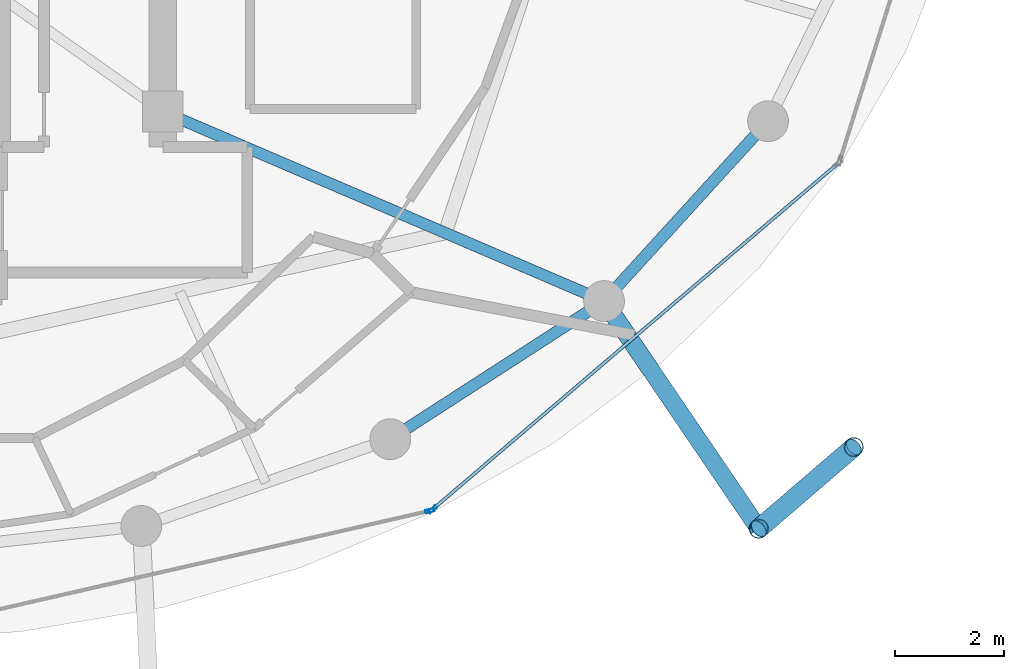
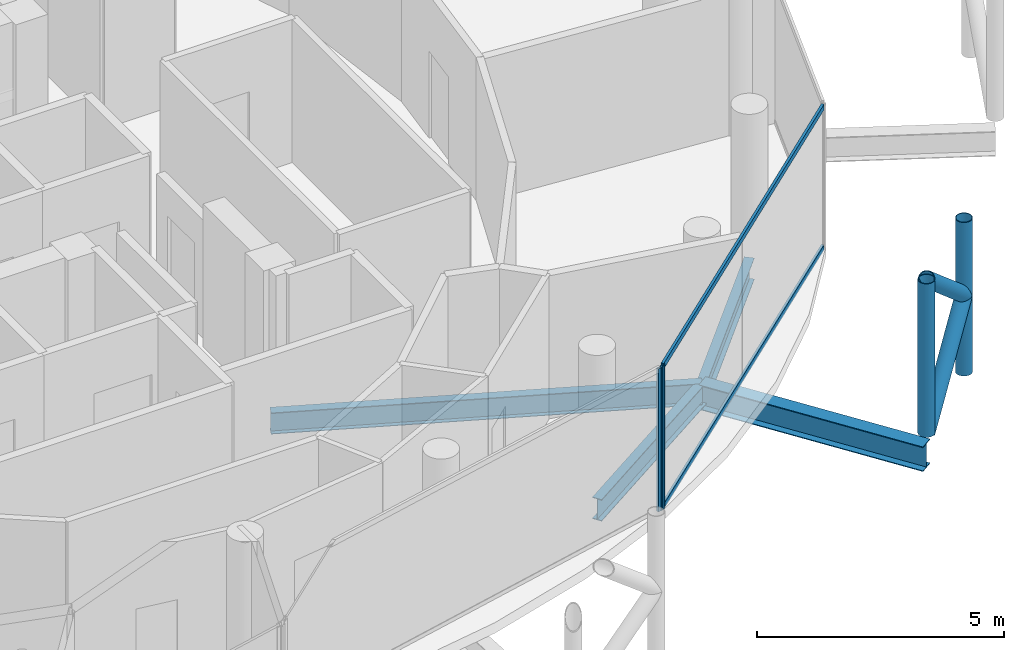
# One storey, part 9 of 24: 8 members, 4 beams, 2 elements without a shape of their own.
"""IFC4 building model written with IfcOpenShell, lengths in metres."""

from ifc_helpers import new_model, si_unit, direction, frame, origin, origin_2d, place, context, subcontext, project, spatial, hollow_rectangle, hollow_circle, i_section, extrude, material, layer, layer_set, material_profile, profile_set, type_object, element, aggregate, save


model = new_model("IFC4")

# Units and contexts
model_context = context("Model", 3, precision=1e-05, world=origin(), true_north=direction((0.0, 1.0)))
body_context = subcontext(model_context, "Body", "Model", "MODEL_VIEW")
ifc_project = project(units=[si_unit("LENGTHUNIT", "METRE"), si_unit("AREAUNIT", "SQUARE_METRE"), si_unit("VOLUMEUNIT", "CUBIC_METRE"), si_unit("PLANEANGLEUNIT", "RADIAN"), si_unit("MASSUNIT", "GRAM", prefix="KILO")], contexts=[model_context])

# Site, building, storey
site_placement = place(None, origin())
site = spatial("IfcSite", under=ifc_project, at=site_placement, CompositionType="ELEMENT")
building_placement = place(site_placement, origin())
building = spatial("IfcBuilding", under=site, at=building_placement, Name="Nuhasar Tower", CompositionType="ELEMENT")
storey_placement = place(building_placement, frame((0.0, 0.0, 286.0)))
storey = spatial("IfcBuildingStorey", under=building, at=storey_placement, Name="L71", CompositionType="ELEMENT", Elevation=286.0)

# Beams
ifc_material_1 = material(Name="Steel S355", Category="steel")
ifc_material_profile_1 = material_profile(ifc_material_1, i_section(OverallWidth=0.208984375, OverallDepth=0.528076171875, WebThickness=0.009521484375, FlangeThickness=0.01318359375, at=origin_2d()), Name="W21X55")
ifc_profile_set_1 = profile_set([ifc_material_profile_1], Name="Steel S355")
beam_type_1 = type_object("IfcBeamType", Name="BM-RAD-W21X55", PredefinedType="BEAM", material=ifc_profile_set_1)
beam_1_placement = place(storey_placement, frame((44.300048828125, 19.0, -0.52392578125), z_axis=(0.91887119061, -0.394557644797, 0.0), x_axis=(0.394557644797, 0.91887119061, 0.0)))
element("IfcBeam", 1, at=beam_1_placement, inside=storey, type_object=beam_type_1, Name="L71 Radial Floor Girder 03", PredefinedType="BEAM", context=body_context, shape_type="SweptSolid", body=[
    extrude(i_section(OverallWidth=0.208984375, OverallDepth=0.528076171875, WebThickness=0.009521484375, FlangeThickness=0.01318359375, at=origin_2d()), origin(), (0.0, 0.0, 1.0), 8.81494140625),
])
ifc_material_profile_2 = material_profile(ifc_material_1, i_section(OverallWidth=0.2099609375, OverallDepth=0.537109375, WebThickness=0.010986328125, FlangeThickness=0.017333984375, at=origin_2d()), Name="W21X68")
ifc_profile_set_2 = profile_set([ifc_material_profile_2], Name="Steel S355")
beam_type_2 = type_object("IfcBeamType", Name="BM-RING-W21X68", PredefinedType="SPANDREL", material=ifc_profile_set_2)
beam_2_placement = place(storey_placement, frame((48.47509765625, 12.987060546875, -0.529052734375), z_axis=(0.840025485934, 0.542546940809, 0.0), x_axis=(-0.542546940809, 0.840025485934, 0.0)))
element("IfcBeam", 2, at=beam_2_placement, inside=storey, type_object=beam_type_2, Name="L71 Perimeter Ring Spandrel 21", PredefinedType="SPANDREL", context=body_context, shape_type="SweptSolid", body=[
    extrude(i_section(OverallWidth=0.2099609375, OverallDepth=0.537109375, WebThickness=0.010986328125, FlangeThickness=0.017333984375, at=origin_2d()), origin(), (0.0, 0.0, 1.0), 4.67236328125),
])
beam_3_placement = place(storey_placement, frame((52.39990234375, 15.52197265625, -0.529052734375), z_axis=(0.673686302939, 0.739017432293, 0.0), x_axis=(-0.739017432293, 0.673686302939, 0.0)))
element("IfcBeam", 3, at=beam_3_placement, inside=storey, type_object=beam_type_2, Name="L71 Perimeter Ring Spandrel 22", PredefinedType="SPANDREL", context=body_context, shape_type="SweptSolid", body=[
    extrude(i_section(OverallWidth=0.2099609375, OverallDepth=0.537109375, WebThickness=0.010986328125, FlangeThickness=0.017333984375, at=origin_2d()), origin(), (0.0, 0.0, 1.0), 4.469482421875),
])
ifc_material_profile_3 = material_profile(ifc_material_1, i_section(OverallWidth=0.323974609375, OverallDepth=0.611083984375, WebThickness=0.0126953125, FlangeThickness=0.01904296875, at=origin_2d()), Name="W24X104")
ifc_profile_set_3 = profile_set([ifc_material_profile_3], Name="Steel S355")
beam_type_3 = type_object("IfcBeamType", Name="BM-TIE-W24X104", PredefinedType="BEAM", material=ifc_profile_set_3)
beam_4_placement = place(storey_placement, frame((52.39990234375, 15.52197265625, -0.56494140625), z_axis=(0.562093254487, -0.827073862034, 0.0), x_axis=(0.827073862034, 0.562093254487, 0.0)))
element("IfcBeam", 4, at=beam_4_placement, inside=storey, type_object=beam_type_3, Name="L71 Exoskeleton Node Tie Beam 11", PredefinedType="BEAM", context=body_context, shape_type="SweptSolid", body=[
    extrude(i_section(OverallWidth=0.323974609375, OverallDepth=0.611083984375, WebThickness=0.0126953125, FlangeThickness=0.01904296875, at=origin_2d()), origin(), (0.0, 0.0, 1.0), 5.052734375),
])

# Curtain wall, member
ifc_material_2 = material(Name="Aluminium 6063-T6", Category="aluminium")
ifc_layer = layer(ifc_material_2, 0.18994140625)
ifc_layer_set = layer_set([ifc_layer], Name="Aluminium 6063-T6")
curtain_wall_type = type_object("IfcCurtainWallType", Name="CW-Z4-PEN", PredefinedType="NOTDEFINED", material=ifc_layer_set)
curtain_wall_1_placement = place(storey_placement, origin())
curtain_wall_1 = element("IfcCurtainWall", 5, at=curtain_wall_1_placement, inside=storey, type_object=curtain_wall_type, Name="L71 Unitised Curtain Wall 10", PredefinedType="NOTDEFINED")
ifc_material_profile_4 = material_profile(ifc_material_2, hollow_rectangle(XDim=0.06005859375, YDim=0.1650390625, WallThickness=0.0048828125, at=origin_2d()), Name="CWM-5")
ifc_profile_set_4 = profile_set([ifc_material_profile_4], Name="Aluminium 6063-T6")
member_type_1 = type_object("IfcMemberType", Name="CW-MUL-S5", PredefinedType="MULLION", material=ifc_profile_set_4)
member_1_placement = place(storey_placement, frame((49.20068359375, 11.67236328125, 0.0), z_axis=(0.0, 0.0, 1.0), x_axis=(-0.222889487645, 0.97484371891, 0.0)))
member_1 = element("IfcMember", 6, at=member_1_placement, type_object=member_type_1, Name="CW-Z4 mullion 2", PredefinedType="MULLION", context=body_context, shape_type="SweptSolid", body=[
    extrude(hollow_rectangle(XDim=0.06005859375, YDim=0.1650390625, WallThickness=0.0048828125, at=origin_2d()), origin(), (0.0, 0.0, 1.0), 3.5400390625),
])
aggregate(curtain_wall_1, [member_1])

# Curtain wall, members
curtain_wall_2_placement = place(storey_placement, origin())
curtain_wall_2 = element("IfcCurtainWall", 7, at=curtain_wall_2_placement, inside=storey, type_object=curtain_wall_type, Name="L71 Unitised Curtain Wall 11", PredefinedType="NOTDEFINED")
member_2_placement = place(storey_placement, frame((49.2529296875, 11.698486328125, 0.0), z_axis=(0.0, 0.0, 1.0), x_axis=(-0.649141996205, 0.760667252327, 0.0)))
member_2 = element("IfcMember", 8, at=member_2_placement, type_object=member_type_1, Name="CW-Z4 mullion 1", PredefinedType="MULLION", context=body_context, shape_type="SweptSolid", body=[
    extrude(hollow_rectangle(XDim=0.06005859375, YDim=0.1650390625, WallThickness=0.0048828125, at=origin_2d()), origin(), (0.0, 0.0, 1.0), 3.5400390625),
])
ifc_material_profile_5 = material_profile(ifc_material_2, hollow_rectangle(XDim=0.06005859375, YDim=0.135009765625, WallThickness=0.00439453125, at=origin_2d()), Name="CWT-5")
ifc_profile_set_5 = profile_set([ifc_material_profile_5], Name="Aluminium 6063-T6")
member_type_2 = type_object("IfcMemberType", Name="CW-TRN-S5", PredefinedType="USERDEFINED", material=ifc_profile_set_5)
member_3_placement = place(storey_placement, frame((49.275634765625, 11.718017578125, 0.030029296875), z_axis=(0.760672431431, 0.649135927261, 0.0), x_axis=(-0.649135927261, 0.760672431431, 0.0)))
member_3 = element("IfcMember", 9, at=member_3_placement, type_object=member_type_2, Name="CW-Z4 transom 1.1", ObjectType="TRANSOM", PredefinedType="USERDEFINED", context=body_context, shape_type="SweptSolid", body=[
    extrude(hollow_rectangle(XDim=0.06005859375, YDim=0.135009765625, WallThickness=0.00439453125, at=origin_2d()), origin(), (0.0, 0.0, 1.0), 9.72509765625),
])
member_4_placement = place(storey_placement, frame((49.275634765625, 11.718017578125, 3.510009765625), z_axis=(0.760672431431, 0.649135927261, 0.0), x_axis=(-0.649135927261, 0.760672431431, 0.0)))
member_4 = element("IfcMember", 10, at=member_4_placement, type_object=member_type_2, Name="CW-Z4 transom 1.2", ObjectType="TRANSOM", PredefinedType="USERDEFINED", context=body_context, shape_type="SweptSolid", body=[
    extrude(hollow_rectangle(XDim=0.06005859375, YDim=0.135009765625, WallThickness=0.00439453125, at=origin_2d()), origin(), (0.0, 0.0, 1.0), 9.72509765625),
])
aggregate(curtain_wall_2, [member_2, member_3, member_4])

# Members
ifc_material_3 = material(Name="Steel S460", Category="steel")
ifc_material_profile_6 = material_profile(ifc_material_3, hollow_circle(Radius=0.177734375, WallThickness=0.015869140625, at=origin_2d()), Name="HSS355.6X15.9")
ifc_profile_set_6 = profile_set([ifc_material_profile_6], Name="Steel S460")
member_type_3 = type_object("IfcMemberType", Name="EXO-BRONZE-356", PredefinedType="BRACE", material=ifc_profile_set_6)
for number, where, z_axis, x_axis, name in (
    (11, (55.239990234375, 11.343017578125, 0.0), (0.0, 0.0, 1.0), (1.0, 0.0, 0.0), "L71 Exoskeleton Chord Column EC-11A"),
    (12, (56.98388671875, 12.842041015625, 0.0), (0.0, 0.0, 1.0), (1.0, 0.0, 0.0), "L71 Exoskeleton Chord Column EC-11B"),
):
    element("IfcMember", number, at=place(storey_placement, frame(where, z_axis=z_axis, x_axis=x_axis)), inside=storey, type_object=member_type_3, Name=name, PredefinedType="BRACE", context=body_context, shape_type="SweptSolid", body=[
        extrude(hollow_circle(Radius=0.177734375, WallThickness=0.015869140625, at=origin_2d()), origin(), (0.0, 0.0, 1.0), 3.800048828125),
    ])
member_5_placement = place(storey_placement, frame((55.239990234375, 11.343017578125, 0.0), z_axis=(0.584625223306, 0.502533791278, 0.636924749792), x_axis=(-0.65185738425, 0.758341579104, 0.0)))
element("IfcMember", 13, at=member_5_placement, inside=storey, type_object=member_type_3, Name="L71 Bronze Diagrid Brace W1-11", PredefinedType="BRACE", context=body_context, shape_type="SweptSolid", body=[
    extrude(hollow_circle(Radius=0.177734375, WallThickness=0.015869140625, at=origin_2d()), origin(), (0.0, 0.0, 1.0), 2.98291015625),
])
member_6_placement = place(storey_placement, frame((56.98388671875, 12.842041015625, 1.89990234375), z_axis=(-0.584594747408, -0.50250759472, 0.636973389203), x_axis=(0.65185738425, -0.758341579104, 0.0)))
element("IfcMember", 14, at=member_6_placement, inside=storey, type_object=member_type_3, Name="L71 Bronze Diagrid Brace W2-11", PredefinedType="BRACE", context=body_context, shape_type="SweptSolid", body=[
    extrude(hollow_circle(Radius=0.177734375, WallThickness=0.015869140625, at=origin_2d()), origin(), (0.0, 0.0, 1.0), 2.983154296875),
])

save(model, "model.ifc")
